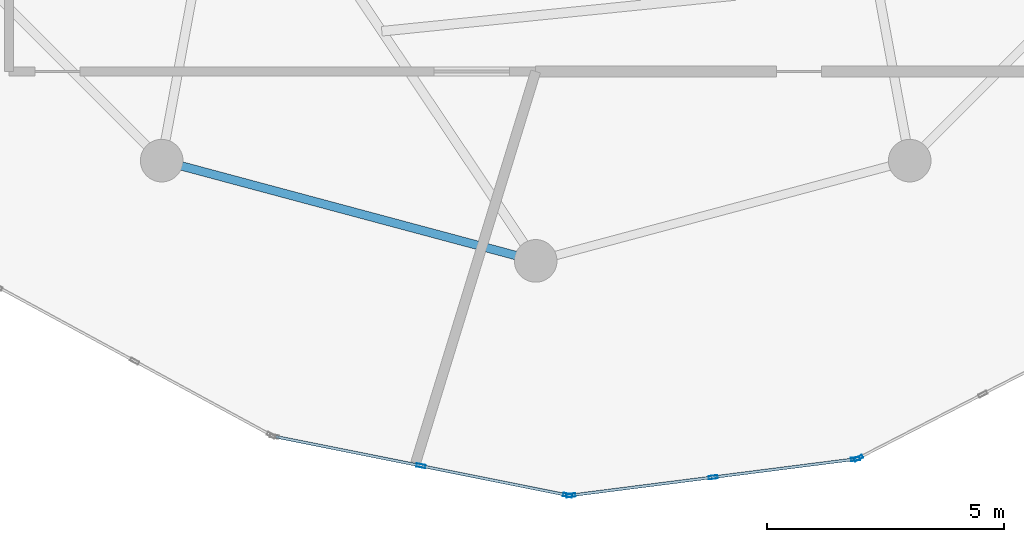
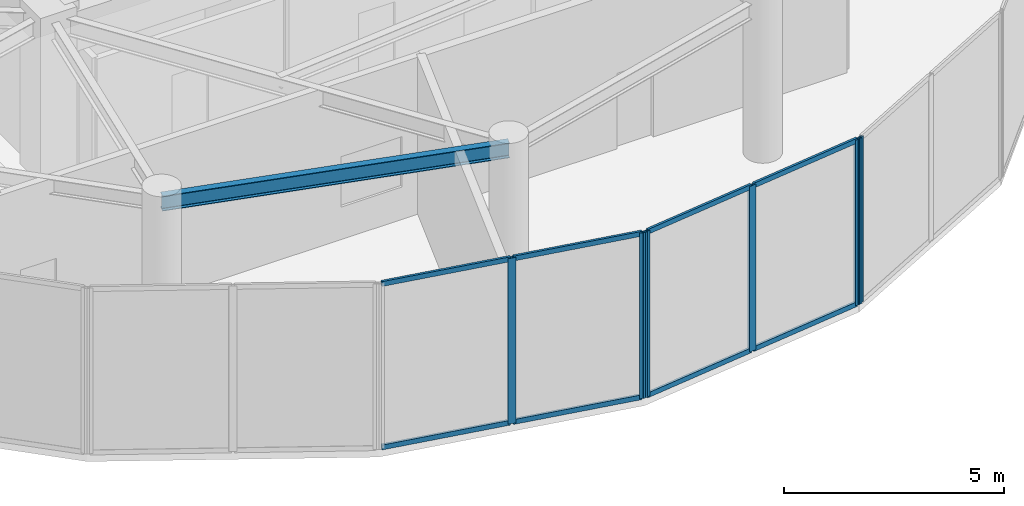
# One storey, part 4 of 23: 14 members, 1 beam, 3 elements without a shape of their own.
"""IFC4 building model written with IfcOpenShell, lengths in metres."""

from ifc_helpers import new_model, si_unit, direction, frame, origin, origin_2d, place, context, subcontext, project, spatial, hollow_rectangle, i_section, extrude, source, transform, mapped, material, layer, layer_set, material_profile, profile_set, type_object, element, aggregate, save


model = new_model("IFC4")

# Units and contexts
model_context = context("Model", 3, precision=1e-05, world=origin(), true_north=direction((0.0, 1.0)))
body_context = subcontext(model_context, "Body", "Model", "MODEL_VIEW")
ifc_project = project(units=[si_unit("LENGTHUNIT", "METRE"), si_unit("AREAUNIT", "SQUARE_METRE"), si_unit("VOLUMEUNIT", "CUBIC_METRE"), si_unit("PLANEANGLEUNIT", "RADIAN"), si_unit("MASSUNIT", "GRAM", prefix="KILO")], contexts=[model_context])

# Site, building, storey
site_placement = place(None, origin())
site = spatial("IfcSite", under=ifc_project, at=site_placement, CompositionType="ELEMENT")
building_placement = place(site_placement, origin())
building = spatial("IfcBuilding", under=site, at=building_placement, Name="Solvirekh Grand Hotel", CompositionType="ELEMENT")
storey_placement = place(building_placement, frame((0.0, 0.0, 168.60009765625)))
storey = spatial("IfcBuildingStorey", under=building, at=storey_placement, Name="L43", CompositionType="ELEMENT", Elevation=168.60009765625)

# Beam
ifc_material_1 = material(Name="Steel S355", Category="steel")
ifc_material_profile_1 = material_profile(ifc_material_1, i_section(OverallWidth=0.180908203125, OverallDepth=0.4169921875, WebThickness=0.010009765625, FlangeThickness=0.01611328125, FilletRadius=0.011962890625, at=origin_2d()), Name="W410X85")
ifc_profile_set_1 = profile_set([ifc_material_profile_1], Name="Steel S355")
beam_type = type_object("IfcBeamType", Name="Spandrel_Ring_W410", PredefinedType="SPANDREL", material=ifc_profile_set_1)
beam_placement = place(storey_placement, frame((-7.89990234375, -13.68310546875, 4.15185546875), z_axis=(0.965920601923, -0.258838541915, 0.0), x_axis=(0.258838541915, 0.965920601923, 0.0)))
element("IfcBeam", 1, at=beam_placement, inside=storey, type_object=beam_type, Name="L43 perimeter spandrel beam 9", PredefinedType="SPANDREL", context=body_context, shape_type="SweptSolid", body=[
    extrude(i_section(OverallWidth=0.180908203125, OverallDepth=0.4169921875, WebThickness=0.010009765625, FlangeThickness=0.01611328125, FilletRadius=0.011962890625, at=origin_2d()), origin(), (0.0, 0.0, 1.0), 8.1787109375),
])

# Curtain wall, members
ifc_material_2 = material(Name="Anodized Bronze Aluminium 6063-T6", Category="aluminium")
ifc_layer = layer(ifc_material_2, 0.18994140625)
ifc_layer_set = layer_set([ifc_layer], Name="Anodized Bronze Aluminium 6063-T6")
curtain_wall_type = type_object("IfcCurtainWallType", Name="CW_Sys5_SkyLobbyPanoramaCW", PredefinedType="NOTDEFINED", material=ifc_layer_set)
curtain_wall_1_placement = place(storey_placement, origin())
curtain_wall_1 = element("IfcCurtainWall", 2, at=curtain_wall_1_placement, inside=storey, type_object=curtain_wall_type, Name="L43 unitised bronze-glass curtain wall CW-L43-C18", PredefinedType="NOTDEFINED")
ifc_material_profile_2 = material_profile(ifc_material_2, hollow_rectangle(XDim=0.070068359375, YDim=0.18994140625, WallThickness=0.0048828125, at=origin_2d()), Name="ALU RHS 190X70X5")
ifc_profile_set_2 = profile_set([ifc_material_profile_2], Name="Anodized Bronze Aluminium 6063-T6")
member_type_1 = type_object("IfcMemberType", Name="CWMullion_Sys5", PredefinedType="MULLION", material=ifc_profile_set_2)
shared_shape_1 = source(origin(), body_context, "Body", "SweptSolid", [
    extrude(hollow_rectangle(XDim=0.070068359375, YDim=0.18994140625, WallThickness=0.0048828125, at=origin_2d()), origin(), (0.0, 0.0, 1.0), 4.599853515625),
])
member_1_placement = place(storey_placement, frame((-2.423095703125, -20.12939453125, 0.0), z_axis=(0.0, 0.0, 1.0), x_axis=(0.196748202622, 0.980454050308, 0.0)))
member_1 = element("IfcMember", 3, at=member_1_placement, type_object=member_type_1, Name="U05 mullion 2", PredefinedType="MULLION", context=body_context, shape_type="MappedRepresentation", body=[
    mapped(shared_shape_1, transform((0.0, 0.0, 0.0), x_axis=(1.0, 0.0, 0.0), y_axis=(0.0, 1.0, 0.0), z_axis=(0.0, 0.0, 1.0), scale=1.0)),
])
member_2_placement = place(storey_placement, frame((0.6748046875, -20.751220703125, 0.0), z_axis=(0.0, 0.0, 1.0), x_axis=(0.196748202622, 0.980454050308, 0.0)))
member_2 = element("IfcMember", 4, at=member_2_placement, type_object=member_type_1, Name="U05 mullion 3", PredefinedType="MULLION", context=body_context, shape_type="MappedRepresentation", body=[
    mapped(shared_shape_1, transform((0.0, 0.0, 0.0), x_axis=(1.0, 0.0, 0.0), y_axis=(0.0, 1.0, 0.0), z_axis=(0.0, 0.0, 1.0), scale=1.0)),
])

curtain_wall_2_placement = place(storey_placement, origin())
curtain_wall_2 = element("IfcCurtainWall", 5, at=curtain_wall_2_placement, inside=storey, type_object=curtain_wall_type, Name="L43 unitised bronze-glass curtain wall CW-L43-C19", PredefinedType="NOTDEFINED")
member_3_placement = place(storey_placement, frame((0.74365234375, -20.753662109375, 0.0), z_axis=(0.0, 0.0, 1.0), x_axis=(-0.12656359623, 0.991958495155, 0.0)))
member_3 = element("IfcMember", 6, at=member_3_placement, type_object=member_type_1, Name="U05 mullion 1", PredefinedType="MULLION", context=body_context, shape_type="MappedRepresentation", body=[
    mapped(shared_shape_1, transform((0.0, 0.0, 0.0), x_axis=(1.0, 0.0, 0.0), y_axis=(0.0, 1.0, 0.0), z_axis=(0.0, 0.0, 1.0), scale=1.0)),
])
member_4_placement = place(storey_placement, frame((3.75, -20.3701171875, 0.0), z_axis=(0.0, 0.0, 1.0), x_axis=(-0.12656359623, 0.991958495155, 0.0)))
member_4 = element("IfcMember", 7, at=member_4_placement, type_object=member_type_1, Name="U05 mullion 2", PredefinedType="MULLION", context=body_context, shape_type="MappedRepresentation", body=[
    mapped(shared_shape_1, transform((0.0, 0.0, 0.0), x_axis=(1.0, 0.0, 0.0), y_axis=(0.0, 1.0, 0.0), z_axis=(0.0, 0.0, 1.0), scale=1.0)),
])
member_5_placement = place(storey_placement, frame((6.75634765625, -19.986328125, 0.0), z_axis=(0.0, 0.0, 1.0), x_axis=(-0.12656359623, 0.991958495155, 0.0)))
member_5 = element("IfcMember", 8, at=member_5_placement, type_object=member_type_1, Name="U05 mullion 3", PredefinedType="MULLION", context=body_context, shape_type="MappedRepresentation", body=[
    mapped(shared_shape_1, transform((0.0, 0.0, 0.0), x_axis=(1.0, 0.0, 0.0), y_axis=(0.0, 1.0, 0.0), z_axis=(0.0, 0.0, 1.0), scale=1.0)),
])

# Curtain wall, member
curtain_wall_3_placement = place(storey_placement, origin())
curtain_wall_3 = element("IfcCurtainWall", 9, at=curtain_wall_3_placement, inside=storey, type_object=curtain_wall_type, Name="L43 unitised bronze-glass curtain wall CW-L43-C20", PredefinedType="NOTDEFINED")
member_6_placement = place(storey_placement, frame((6.822021484375, -19.966064453125, 0.0), z_axis=(0.0, 0.0, 1.0), x_axis=(-0.457639535446, 0.889137815862, 0.0)))
member_6 = element("IfcMember", 10, at=member_6_placement, type_object=member_type_1, Name="U05 mullion 1", PredefinedType="MULLION", context=body_context, shape_type="MappedRepresentation", body=[
    mapped(shared_shape_1, transform((0.0, 0.0, 0.0), x_axis=(1.0, 0.0, 0.0), y_axis=(0.0, 1.0, 0.0), z_axis=(0.0, 0.0, 1.0), scale=1.0)),
])
aggregate(curtain_wall_3, [member_6])

# Member
ifc_material_profile_3 = material_profile(ifc_material_2, hollow_rectangle(XDim=0.06005859375, YDim=0.135009765625, WallThickness=0.00390625, at=origin_2d()), Name="ALU RHS 135X60X4")
ifc_profile_set_3 = profile_set([ifc_material_profile_3], Name="Anodized Bronze Aluminium 6063-T6")
member_type_2 = type_object("IfcMemberType", Name="CWTransom_Sys5", PredefinedType="USERDEFINED", material=ifc_profile_set_3)
shared_shape_2 = source(origin(), body_context, "Body", "SweptSolid", [
    extrude(hollow_rectangle(XDim=0.06005859375, YDim=0.135009765625, WallThickness=0.00390625, at=origin_2d()), origin(), (0.0, 0.0, 1.0), 2.960693359375),
])
member_7_placement = place(storey_placement, frame((0.7783203125, -20.7490234375, 0.02978515625), z_axis=(0.991967840443, 0.126490329779, 0.0), x_axis=(-0.126490329779, 0.991967840443, 0.0)))
member_7 = element("IfcMember", 11, at=member_7_placement, type_object=member_type_2, Name="U05 transom 1.1", ObjectType="TRANSOM", PredefinedType="USERDEFINED", context=body_context, shape_type="MappedRepresentation", body=[
    mapped(shared_shape_2, transform((0.0, 0.0, 0.0), x_axis=(1.0, 0.0, 0.0), y_axis=(0.0, 1.0, 0.0), z_axis=(0.0, 0.0, 1.0), scale=1.0)),
])

member_8_placement = place(storey_placement, frame((0.7783203125, -20.7490234375, 4.56982421875), z_axis=(0.991967840443, 0.126490329779, 0.0), x_axis=(-0.126490329779, 0.991967840443, 0.0)))
member_8 = element("IfcMember", 12, at=member_8_placement, type_object=member_type_2, Name="U05 transom 1.2", ObjectType="TRANSOM", PredefinedType="USERDEFINED", context=body_context, shape_type="MappedRepresentation", body=[
    mapped(shared_shape_2, transform((0.0, 0.0, 0.0), x_axis=(1.0, 0.0, 0.0), y_axis=(0.0, 1.0, 0.0), z_axis=(0.0, 0.0, 1.0), scale=1.0)),
])

member_9_placement = place(storey_placement, frame((3.78466796875, -20.365478515625, 0.02978515625), z_axis=(0.991967840443, 0.126490329779, 0.0), x_axis=(-0.126490329779, 0.991967840443, 0.0)))
member_9 = element("IfcMember", 13, at=member_9_placement, type_object=member_type_2, Name="U05 transom 2.1", ObjectType="TRANSOM", PredefinedType="USERDEFINED", context=body_context, shape_type="MappedRepresentation", body=[
    mapped(shared_shape_2, transform((0.0, 0.0, 0.0), x_axis=(1.0, 0.0, 0.0), y_axis=(0.0, 1.0, 0.0), z_axis=(0.0, 0.0, 1.0), scale=1.0)),
])

member_10_placement = place(storey_placement, frame((3.78466796875, -20.365478515625, 4.56982421875), z_axis=(0.991967840443, 0.126490329779, 0.0), x_axis=(-0.126490329779, 0.991967840443, 0.0)))
member_10 = element("IfcMember", 14, at=member_10_placement, type_object=member_type_2, Name="U05 transom 2.2", ObjectType="TRANSOM", PredefinedType="USERDEFINED", context=body_context, shape_type="MappedRepresentation", body=[
    mapped(shared_shape_2, transform((0.0, 0.0, 0.0), x_axis=(1.0, 0.0, 0.0), y_axis=(0.0, 1.0, 0.0), z_axis=(0.0, 0.0, 1.0), scale=1.0)),
])

aggregate(curtain_wall_2, [member_3, member_4, member_5, member_7, member_8, member_9, member_10])

shared_shape_3 = source(origin(), body_context, "Body", "SweptSolid", [
    extrude(hollow_rectangle(XDim=0.06005859375, YDim=0.135009765625, WallThickness=0.00390625, at=origin_2d()), origin(), (0.0, 0.0, 1.0), 3.08935546875),
])
member_11_placement = place(storey_placement, frame((-5.486328125, -19.514892578125, 0.02978515625), z_axis=(0.980465007348, -0.196693592592, 0.0), x_axis=(0.196693592592, 0.980465007348, 0.0)))
member_11 = element("IfcMember", 15, at=member_11_placement, type_object=member_type_2, Name="U05 transom 1.1", ObjectType="TRANSOM", PredefinedType="USERDEFINED", context=body_context, shape_type="MappedRepresentation", body=[
    mapped(shared_shape_3, transform((0.0, 0.0, 0.0), x_axis=(1.0, 0.0, 0.0), y_axis=(0.0, 1.0, 0.0), z_axis=(0.0, 0.0, 1.0), scale=1.0)),
])

member_12_placement = place(storey_placement, frame((-5.486328125, -19.514892578125, 4.56982421875), z_axis=(0.980465007348, -0.196693592592, 0.0), x_axis=(0.196693592592, 0.980465007348, 0.0)))
member_12 = element("IfcMember", 16, at=member_12_placement, type_object=member_type_2, Name="U05 transom 1.2", ObjectType="TRANSOM", PredefinedType="USERDEFINED", context=body_context, shape_type="MappedRepresentation", body=[
    mapped(shared_shape_3, transform((0.0, 0.0, 0.0), x_axis=(1.0, 0.0, 0.0), y_axis=(0.0, 1.0, 0.0), z_axis=(0.0, 0.0, 1.0), scale=1.0)),
])

member_13_placement = place(storey_placement, frame((-2.388671875, -20.136474609375, 0.02978515625), z_axis=(0.980465007348, -0.196693592592, 0.0), x_axis=(0.196693592592, 0.980465007348, 0.0)))
member_13 = element("IfcMember", 17, at=member_13_placement, type_object=member_type_2, Name="U05 transom 2.1", ObjectType="TRANSOM", PredefinedType="USERDEFINED", context=body_context, shape_type="MappedRepresentation", body=[
    mapped(shared_shape_3, transform((0.0, 0.0, 0.0), x_axis=(1.0, 0.0, 0.0), y_axis=(0.0, 1.0, 0.0), z_axis=(0.0, 0.0, 1.0), scale=1.0)),
])

member_14_placement = place(storey_placement, frame((-2.388671875, -20.136474609375, 4.56982421875), z_axis=(0.980465007348, -0.196693592592, 0.0), x_axis=(0.196693592592, 0.980465007348, 0.0)))
member_14 = element("IfcMember", 18, at=member_14_placement, type_object=member_type_2, Name="U05 transom 2.2", ObjectType="TRANSOM", PredefinedType="USERDEFINED", context=body_context, shape_type="MappedRepresentation", body=[
    mapped(shared_shape_3, transform((0.0, 0.0, 0.0), x_axis=(1.0, 0.0, 0.0), y_axis=(0.0, 1.0, 0.0), z_axis=(0.0, 0.0, 1.0), scale=1.0)),
])

aggregate(curtain_wall_1, [member_1, member_2, member_11, member_12, member_13, member_14])

save(model, "model.ifc")
